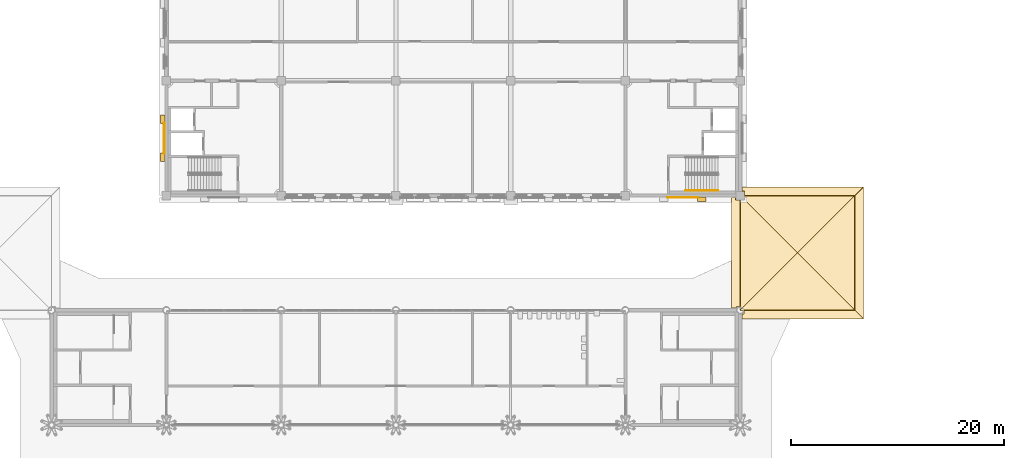
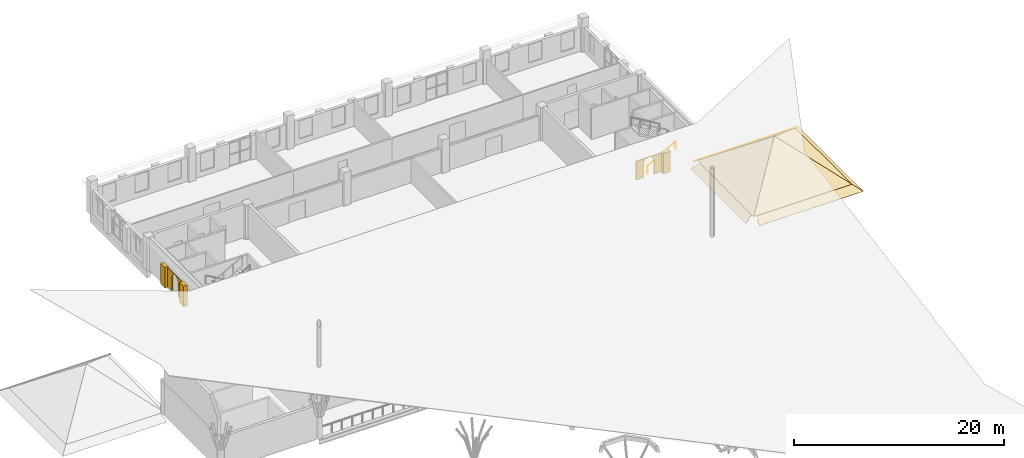
# One storey, part 52 of 56: 13 coverings, 1 railing.
"""IFC4 building model written with IfcOpenShell, lengths in metres."""

from ifc_helpers import new_model, si_unit, direction, frame, origin, origin_2d, place, context, subcontext, project, spatial, polyline, rectangle, circle, outline, extrude, material, layer, layer_set, type_object, element, save


model = new_model("IFC4")

# Units and contexts
model_context = context("Model", 3, precision=1e-05, world=origin(), true_north=direction((0.0, 1.0)))
body_context = subcontext(model_context, "Body", "Model", "MODEL_VIEW")
ifc_project = project(units=[si_unit("LENGTHUNIT", "METRE"), si_unit("AREAUNIT", "SQUARE_METRE"), si_unit("VOLUMEUNIT", "CUBIC_METRE"), si_unit("PLANEANGLEUNIT", "RADIAN"), si_unit("MASSUNIT", "GRAM", prefix="KILO")], contexts=[model_context])

# Site, building, storey
site_placement = place(None, origin())
site = spatial("IfcSite", under=ifc_project, at=site_placement, CompositionType="ELEMENT")
building_placement = place(site_placement, origin())
building = spatial("IfcBuilding", under=site, at=building_placement, Name="Magnolia Steps Interchange", CompositionType="ELEMENT")
storey_placement = place(building_placement, frame((0.0, 0.0, 8.699951171875)))
storey = spatial("IfcBuildingStorey", under=building, at=storey_placement, Name="L02", CompositionType="ELEMENT", Elevation=8.699951171875)

# Coverings
ifc_material_1 = material(Name="Clay pantile")
ifc_layer_1 = layer(ifc_material_1, 0.0400390625)
ifc_layer_set_1 = layer_set([ifc_layer_1], Name="Clay pantile roofing")
covering_type_1 = type_object("IfcCoveringType", Name="Clay pantile roofing", PredefinedType="ROOFING", material=ifc_layer_set_1)
covering_1_placement = place(storey_placement, frame((118.0, 85.60009765625, 0.1689453125), z_axis=(0.0, -0.6156730791, 0.788001687607), x_axis=(1.0, 0.0, 0.0)))
element("IfcCovering", 1, at=covering_1_placement, inside=storey, type_object=covering_type_1, Name="Clay pantile roof WC-E 1", PredefinedType="ROOFING", context=body_context, shape_type="SweptSolid", body=[
    extrude(outline(polyline([(0.0, 0.0), (10.800048828, 0.0), (5.399902344, 6.852653273), (0.0, 0.0)])), origin(), (0.0, 0.0, -1.0), 0.0400390625),
])
covering_2_placement = place(storey_placement, frame((128.800048828125, 96.39990234375, 0.1689453125), z_axis=(0.0, 0.6156730791, 0.788001687607), x_axis=(-1.0, 0.0, 0.0)))
element("IfcCovering", 2, at=covering_2_placement, inside=storey, type_object=covering_type_1, Name="Clay pantile roof WC-E 2", PredefinedType="ROOFING", context=body_context, shape_type="SweptSolid", body=[
    extrude(outline(polyline([(0.0, 0.0), (10.800048828, 0.0), (5.400146484, 6.852653273), (0.0, 0.0)])), origin(), (0.0, 0.0, -1.0), 0.0400390625),
])
covering_3_placement = place(storey_placement, frame((118.0, 96.39990234375, 0.1689453125), z_axis=(-0.6156730791, 0.0, 0.788001687607), x_axis=(0.0, -1.0, 0.0)))
element("IfcCovering", 3, at=covering_3_placement, inside=storey, type_object=covering_type_1, Name="Clay pantile roof WC-E 3", PredefinedType="ROOFING", context=body_context, shape_type="SweptSolid", body=[
    extrude(outline(polyline([(0.0, 0.0), (10.799804688, 0.0), (5.399902344, 6.852653273), (0.0, 0.0)])), origin(), (0.0, 0.0, -1.0), 0.0400390625),
])
covering_4_placement = place(storey_placement, frame((128.800048828125, 85.60009765625, 0.1689453125), z_axis=(0.615655794866, 0.0, 0.788015191635), x_axis=(0.0, 1.0, 0.0)))
element("IfcCovering", 4, at=covering_4_placement, inside=storey, type_object=covering_type_1, Name="Clay pantile roof WC-E 4", PredefinedType="ROOFING", context=body_context, shape_type="SweptSolid", body=[
    extrude(outline(polyline([(0.0, 0.0), (10.799804688, 0.0), (5.399902344, 6.852845658), (0.0, 0.0)])), origin(), (0.0, 0.0, -1.0), 0.0400390625),
])
covering_5_placement = place(storey_placement, frame((118.195068359375, 84.800048828125, -0.4560546875), z_axis=(5.931299e-06, -0.615622385085, 0.788041292667), x_axis=(-4.75e-10, 0.78804129268, 0.615622385095)))
element("IfcCovering", 5, at=covering_5_placement, inside=storey, type_object=covering_type_1, Name="Clay pantile eave Pavilion roof slab WC-E 1 1", PredefinedType="ROOFING", context=body_context, shape_type="SweptSolid", body=[
    extrude(outline(polyline([(0.0, 0.0), (0.571009848, 0.0), (0.571160146, -0.136962889), (0.58664143, -0.153320311), (1.015235503, -0.155029297), (1.015235498, -10.604980469), (-5e-09, -11.405029297), (0.0, 0.0)])), origin(), (0.0, 0.0, -1.0), 0.0400390625),
])
covering_6_placement = place(storey_placement, frame((129.60009765625, 97.199951171875, -0.4560546875), z_axis=(2.288909e-06, 0.615621600922, 0.788041905277), x_axis=(-0.618951609177, -0.618950189502, 0.48352824986)))
element("IfcCovering", 6, at=covering_6_placement, inside=storey, type_object=covering_type_1, Name="Clay pantile eave Pavilion roof slab WC-E 2 2", PredefinedType="ROOFING", context=body_context, shape_type="SweptSolid", body=[
    extrude(outline(polyline([(0.0, 0.0), (1.29258704, 0.0), (7.717383321, -8.152853998), (7.310837432, -8.47633785), (7.453401681, -8.679180116), (7.074725693, -8.977592927), (0.0, 0.0)])), origin(), (0.0, 0.0, -1.0), 0.0400390625),
])
covering_7_placement = place(storey_placement, frame((117.662353515625, 85.948486328125, -0.0947265625), z_axis=(-0.615622222961, 2.618092e-06, 0.788041419336), x_axis=(-0.537445547414, -0.73135202956, -0.419852941425)))
element("IfcCovering", 7, at=covering_7_placement, inside=storey, type_object=covering_type_1, Name="Clay pantile eave Pavilion roof slab WC-E 3 1", PredefinedType="ROOFING", context=body_context, shape_type="SweptSolid", body=[
    extrude(outline(polyline([(0.0, 0.0), (0.022699824, 0.0), (0.123101628, 0.093158084), (0.512530431, -0.324451127), (-7.11917085, -7.441162686), (-7.44811223, -7.088417976), (-7.278589629, -6.930129308), (-7.278313892, -6.905366582), (-7.628723611, -6.528168101), (-0.293241328, 0.312313415), (0.0, 0.0)])), origin(), (0.0, 0.0, -1.0), 0.0400390625),
])
covering_8_placement = place(storey_placement, frame((128.800048828125, 85.60009765625, 0.1689453125), z_axis=(0.615620708595, 0.0, 0.788042602369), x_axis=(0.0, 1.0, 0.0)))
element("IfcCovering", 8, at=covering_8_placement, inside=storey, type_object=covering_type_1, Name="Clay pantile eave Pavilion roof slab WC-E 4 1", PredefinedType="ROOFING", context=body_context, shape_type="SweptSolid", body=[
    extrude(outline(polyline([(0.0, 0.0), (10.799804688, 0.0), (11.599853516, -1.015235503), (-0.800048828, -1.015235503), (0.0, 0.0)])), origin(), (0.0, 0.0, -1.0), 0.0400390625),
])
ifc_material_2 = material(Name="Lime render")
ifc_layer_2 = layer(ifc_material_2, 0.080078125)
ifc_layer_set_2 = layer_set([ifc_layer_2], Name="Lime render arch infill")
covering_type_2 = type_object("IfcCoveringType", Name="Lime render arch infill", PredefinedType="CLADDING", material=ifc_layer_set_2)
covering_9_placement = place(storey_placement, frame((63.85009765625, 101.25, 0.400146484375), z_axis=(1.0, 0.0, 0.0), x_axis=(0.0, 0.0, 1.0)))
element("IfcCovering", 9, at=covering_9_placement, inside=storey, type_object=covering_type_2, Name="Arched niche OC-W L02 W", PredefinedType="CLADDING", context=body_context, shape_type="SweptSolid", body=[
    extrude(outline(polyline([(0.0, 0.0), (1.599853516, 0.0), (1.7421875, -0.018798828), (1.875, -0.073730469), (1.988769531, -0.161132812), (2.076171875, -0.274902344), (2.131103516, -0.407714844), (2.149902344, -0.550048828), (2.131103516, -0.692382812), (2.076171875, -0.824951172), (1.988769531, -0.938964844), (1.875, -1.026367188), (1.7421875, -1.081298828), (1.599853516, -1.100097656), (0.0, -1.100097656), (0.0, -2.0), (2.199951172, -2.0), (2.199951172, 0.899902344), (0.0, 0.899902344), (0.0, 0.0)])), origin(), (0.0, 0.0, -1.0), 0.080078125),
])
covering_10_placement = place(storey_placement, frame((111.14990234375, 96.25, 0.400146484375), z_axis=(0.0, 1.0, 0.0), x_axis=(0.0, 0.0, 1.0)))
element("IfcCovering", 10, at=covering_10_placement, inside=storey, type_object=covering_type_2, Name="Arched niche OC-E L02 S", PredefinedType="CLADDING", context=body_context, shape_type="SweptSolid", body=[
    extrude(outline(polyline([(0.0, 0.0), (2.199951172, 0.0), (2.199951172, 2.900146484), (0.0, 2.900146484), (0.0, 2.0), (1.599853516, 2.0), (1.7421875, 1.981445312), (1.875, 1.926513672), (1.988769531, 1.839111328), (2.076171875, 1.725097656), (2.131103516, 1.592529297), (2.149902344, 1.450195312), (2.131103516, 1.307617188), (2.076171875, 1.175048828), (1.988769531, 1.061279297), (1.875, 0.973876953), (1.7421875, 0.918701172), (1.599853516, 0.900146484), (0.0, 0.900146484), (0.0, 0.0)])), origin(), (0.0, 0.0, -1.0), 0.080078125),
])
ifc_material_3 = material(Name="Lime render")
ifc_layer_3 = layer(ifc_material_3, 0.39990234375)
ifc_layer_set_3 = layer_set([ifc_layer_3], Name="Lime render pilaster")
covering_type_3 = type_object("IfcCoveringType", Name="Lime render pilaster", PredefinedType="CLADDING", material=ifc_layer_set_3)
for number, where, z_axis, x_axis, name in (
    (11, (63.64990234375, 100.0, 0.300048828125), (0.0, 0.0, 1.0), (1.0, 0.0, 0.0), "Core pilaster OC-W L02 W 1"),
    (12, (63.64990234375, 103.60009765625, 0.300048828125), (0.0, 0.0, 1.0), (1.0, 0.0, 0.0), "Core pilaster OC-W L02 W 2"),
):
    element("IfcCovering", number, at=place(storey_placement, frame(where, z_axis=z_axis, x_axis=x_axis)), inside=storey, type_object=covering_type_3, Name=name, PredefinedType="CLADDING", context=body_context, shape_type="SweptSolid", body=[
        extrude(rectangle(XDim=0.39990234375, YDim=0.800048828125, at=origin_2d()), origin(), (0.0, 0.0, 1.0), 2.39990234375),
    ])
covering_11_placement = place(storey_placement, frame((114.39990234375, 96.050048828125, 0.300048828125), z_axis=(0.0, 0.0, 1.0), x_axis=(1.0, 0.0, 0.0)))
element("IfcCovering", 13, at=covering_11_placement, inside=storey, type_object=covering_type_3, Name="Core pilaster OC-E L02 S 2", PredefinedType="CLADDING", context=body_context, shape_type="SweptSolid", body=[
    extrude(rectangle(XDim=0.800048828125, YDim=0.39990234375, at=origin_2d()), origin(), (0.0, 0.0, 1.0), 2.39990234375),
])

# Railing
ifc_material_4 = material(Name="Stainless steel grade 304", Category="steel")
railing_type = type_object("IfcRailingType", Name="Stair handrail 900", PredefinedType="HANDRAIL", material=ifc_material_4)
railing_placement = place(storey_placement, frame((112.85009765625, 96.8740234375, 0.16259765625)))
element("IfcRailing", 14, at=railing_placement, inside=storey, type_object=railing_type, Name="L02 ST29 stair handrail 1", PredefinedType="HANDRAIL", context=body_context, shape_type="SweptSolid", body=[
    extrude(circle(Radius=0.02392578125, at=origin_2d()), frame((0.0, 0.0, 0.8759765625), z_axis=(0.864903211148, 0.0, 0.501938676878), x_axis=(0.0, 1.0, 0.0)), (0.0, 0.0, 1.0), 3.560791015625),
    extrude(circle(Radius=0.02099609375, at=origin_2d()), origin(), (0.0, 0.0, 1.0), 0.851806640625),
    extrude(circle(Radius=0.02099609375, at=origin_2d()), frame((1.026611328125, 0.0, 0.595703125)), (0.0, 0.0, 1.0), 0.851806640625),
    extrude(circle(Radius=0.02099609375, at=origin_2d()), frame((2.05322265625, 0.0, 1.191650390625)), (0.0, 0.0, 1.0), 0.851806640625),
    extrude(circle(Radius=0.02099609375, at=origin_2d()), frame((3.079833984375, 0.0, 1.787353515625)), (0.0, 0.0, 1.0), 0.851806640625),
])

save(model, "model.ifc")
